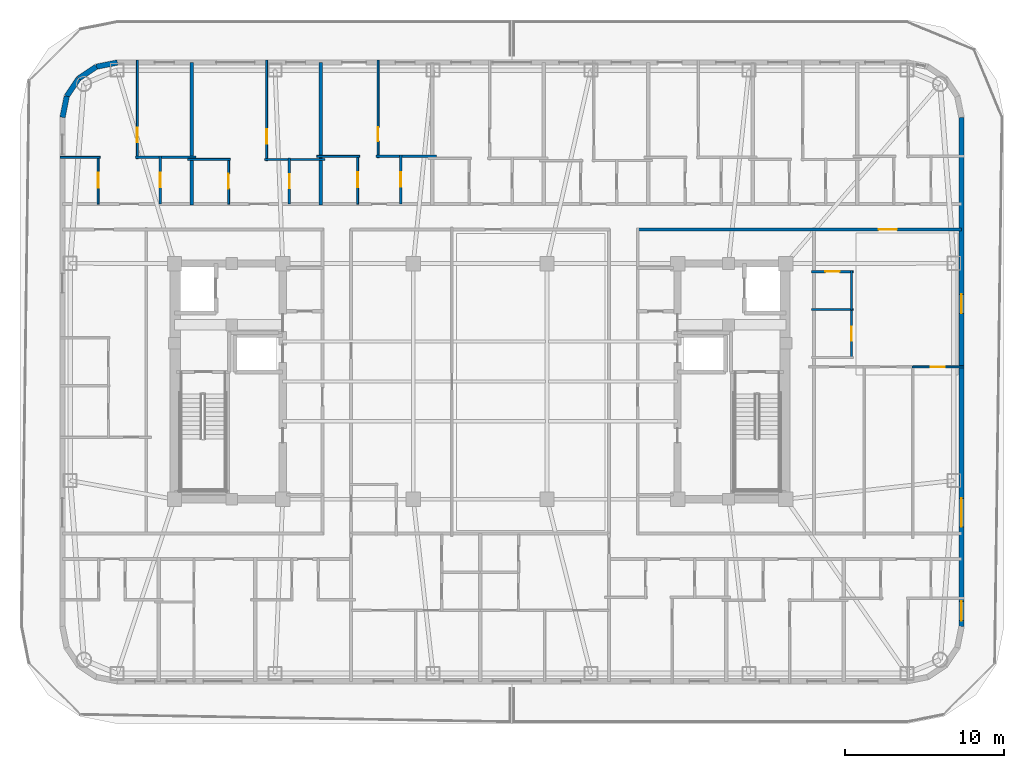
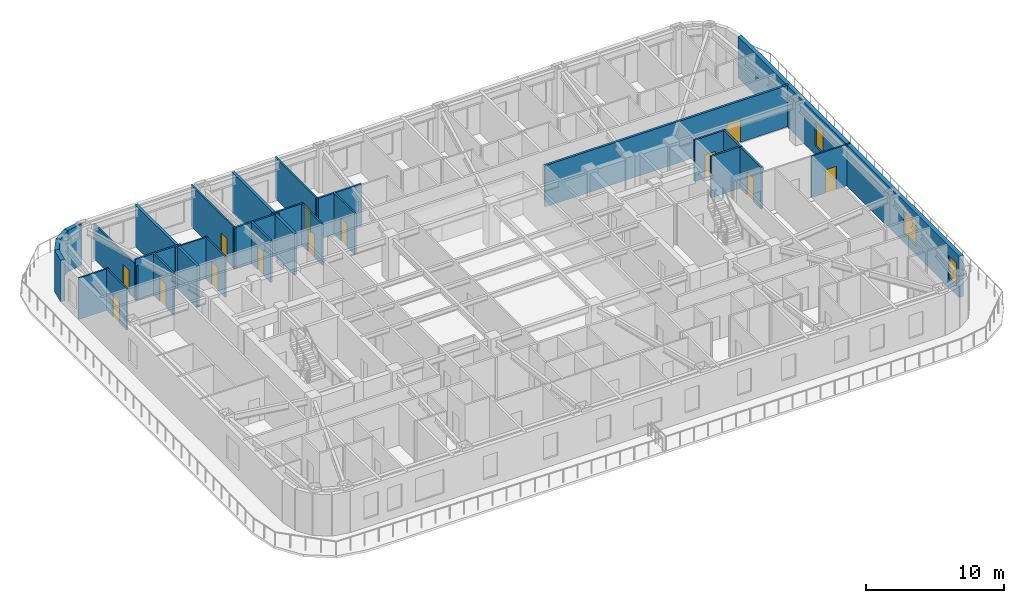
# One storey, part 7 of 15: 28 walls, 13 doors, 3 windows, 16 openings.
"""IFC4 building model written with IfcOpenShell, lengths in metres."""

from ifc_helpers import new_model, si_unit, direction, frame, frame_2d, origin, place, context, subcontext, project, spatial, rectangle, extrude, material, layer, layer_set, type_object, element, fill, save


model = new_model("IFC4")

# Units and contexts
model_context = context("Model", 3, precision=1e-05, world=origin(), true_north=direction((0.0, 1.0)))
body_context = subcontext(model_context, "Body", "Model", "MODEL_VIEW")
ifc_project = project(units=[si_unit("LENGTHUNIT", "METRE"), si_unit("AREAUNIT", "SQUARE_METRE"), si_unit("VOLUMEUNIT", "CUBIC_METRE"), si_unit("PLANEANGLEUNIT", "RADIAN"), si_unit("MASSUNIT", "GRAM", prefix="KILO")], contexts=[model_context])

# Site, building, storey
site_placement = place(None, origin())
site = spatial("IfcSite", under=ifc_project, at=site_placement, CompositionType="ELEMENT")
building_placement = place(site_placement, origin())
building = spatial("IfcBuilding", under=site, at=building_placement, Name="Voryun Gate Residences", CompositionType="ELEMENT")
storey_placement = place(building_placement, frame((0.0, 0.0, 231.39990234375)))
storey = spatial("IfcBuildingStorey", under=building, at=storey_placement, Name="L57", CompositionType="ELEMENT", Elevation=231.39990234375)

# Wall, opening, door
ifc_material_1 = material(Name="Gypsum acoustic fireboard")
ifc_layer_1 = layer(ifc_material_1, 0.179931640625, Name="W_CORR_RATED_180")
ifc_layer_set_1 = layer_set([ifc_layer_1], Name="Gypsum acoustic fireboard")
wall_type_1 = type_object("IfcWallType", Name="W_CORR_RATED_180", PredefinedType="PARTITIONING", material=ifc_layer_set_1)
wall_1_placement = place(storey_placement, frame((9.8798828125, 9.5400390625, 0.0), z_axis=(0.0, 0.0, 1.0), x_axis=(1.0, 0.0, 0.0)))
wall_1 = element("IfcWall", 1, at=wall_1_placement, inside=storey, type_object=wall_type_1, Name="Partition wall WP-L57-CWING-EN", PredefinedType="PARTITIONING", context=body_context, shape_type="SweptSolid", body=[
    extrude(rectangle(XDim=20.35009765625, YDim=0.179931640625, at=frame_2d((10.175048828125, 0.0))), origin(), (0.0, 0.0, 1.0), 3.650146484375),
])
opening_1_placement = place(wall_1_placement, frame((15.1494140625, 0.0, 0.0)))
opening_1 = element("IfcOpeningElement", 2, at=opening_1_placement, cuts=wall_1, Name="Opening D-UNIT-1", PredefinedType="OPENING", context=body_context, shape_type="SweptSolid", body=[
    extrude(rectangle(XDim=1.14990234375, YDim=2.050048828125, at=frame_2d((0.574951171875, 1.02490234375))), frame((0.0, 0.099853515625, 0.0), z_axis=(0.0, -1.0, 0.0), x_axis=(1.0, 0.0, 0.0)), (0.0, 0.0, 1.0), 0.199951171875),
])
ifc_material_2 = material(Name="Armoured timber-clad fire door", Category="wood")
door_type_1 = type_object("IfcDoorType", Name="DR_UNIT_ENTRY_1150", OperationType="NOTDEFINED", PredefinedType="DOOR", material=ifc_material_2)
door_1_placement = place(opening_1_placement, origin())
door_1 = element("IfcDoor", 3, at=door_1_placement, inside=storey, type_object=door_type_1, Name="Door DR-L57-EE1N", OperationType="SINGLE_SWING_LEFT", OverallHeight=2.050048828125, OverallWidth=1.14990234375, PredefinedType="DOOR", context=body_context, shape_type="SweptSolid", body=[
    extrude(rectangle(XDim=1.14990234375, YDim=2.050048828125, at=frame_2d((0.574951171875, 1.02490234375))), frame((0.0, 0.02490234375, 0.0), z_axis=(0.0, -1.0, 0.0), x_axis=(1.0, 0.0, 0.0)), (0.0, 0.0, 1.0), 0.050048828125),
])
fill(opening_1, door_1)

# Walls
ifc_material_3 = material(Name="Charcoal terracotta masonry", Category="masonry")
ifc_layer_2 = layer(ifc_material_3, 0.340087890625, Name="W_EXT_TERRACOTTA_340")
ifc_layer_set_2 = layer_set([ifc_layer_2], Name="Charcoal terracotta masonry")
wall_type_2 = type_object("IfcWallType", Name="W_EXT_TERRACOTTA_340", PredefinedType="ELEMENTEDWALL", material=ifc_layer_set_2)
wall_2_placement = place(storey_placement, frame((-26.22998046875, 16.583251953125, 0.0), z_axis=(0.0, 0.0, 1.0), x_axis=(0.195075878998, 0.980788153188, 0.0)))
element("IfcWall", 4, at=wall_2_placement, inside=storey, type_object=wall_type_2, Name="Exterior wall WEXT-L57-07", PredefinedType="ELEMENTEDWALL", context=body_context, shape_type="SweptSolid", body=[
    extrude(rectangle(XDim=1.354248046875, YDim=0.340087890625, at=frame_2d((0.67724609375, 0.0))), origin(), (0.0, 0.0, 1.0), 3.650146484375),
])
for number, where, z_axis, x_axis, name in (
    (5, (-25.9658203125, 17.911376953125, 0.0), (0.0, 0.0, 1.0), (0.555669034571, 0.831403586725, 0.0), "Exterior wall WEXT-L57-08"),
    (6, (-25.222900390625, 19.02294921875, 0.0), (0.0, 0.0, 1.0), (0.831403586725, 0.555669034571, 0.0), "Exterior wall WEXT-L57-09"),
):
    element("IfcWall", number, at=place(storey_placement, frame(where, z_axis=z_axis, x_axis=x_axis)), inside=storey, type_object=wall_type_2, Name=name, PredefinedType="ELEMENTEDWALL", context=body_context, shape_type="SweptSolid", body=[
        extrude(rectangle(XDim=1.3369140625, YDim=0.340087890625, at=frame_2d((0.66845703125, 0.0))), origin(), (0.0, 0.0, 1.0), 3.650146484375),
    ])
wall_3_placement = place(storey_placement, frame((-24.111328125, 19.765869140625, 0.0), z_axis=(0.0, 0.0, 1.0), x_axis=(0.980788153188, 0.195075878998, 0.0)))
element("IfcWall", 7, at=wall_3_placement, inside=storey, type_object=wall_type_2, Name="Exterior wall WEXT-L57-10", PredefinedType="ELEMENTEDWALL", context=body_context, shape_type="SweptSolid", body=[
    extrude(rectangle(XDim=1.354248046875, YDim=0.340087890625, at=frame_2d((0.67724609375, 0.0))), origin(), (0.0, 0.0, 1.0), 3.650146484375),
])

# Wall, openings, windows
wall_4_placement = place(storey_placement, frame((30.22998046875, 16.583251953125, 0.0), z_axis=(0.0, 0.0, 1.0), x_axis=(0.0, -1.0, 0.0)))
wall_4 = element("IfcWall", 8, at=wall_4_placement, inside=storey, type_object=wall_type_2, Name="Exterior wall WEXT-L57-16", PredefinedType="ELEMENTEDWALL", context=body_context, shape_type="SweptSolid", body=[
    extrude(rectangle(XDim=31.966552734375, YDim=0.340087890625, at=frame_2d((15.9833984375, 0.0))), origin(), (0.0, 0.0, 1.0), 3.650146484375),
])
opening_2_placement = place(wall_4_placement, frame((23.925048828125, 0.0, 0.75)))
opening_2 = element("IfcOpeningElement", 9, at=opening_2_placement, cuts=wall_4, Name="Opening WN1", PredefinedType="OPENING", context=body_context, shape_type="SweptSolid", body=[
    extrude(rectangle(XDim=1.800048828125, YDim=2.10009765625, at=frame_2d((0.89990234375, 1.050048828125))), frame((0.0, 0.179931640625, 0.0), z_axis=(0.0, -1.0, 0.0), x_axis=(1.0, 0.0, 0.0)), (0.0, 0.0, 1.0), 0.360107421875),
])
opening_3_placement = place(wall_4_placement, frame((30.401611328125, 0.0, 0.75)))
opening_3 = element("IfcOpeningElement", 10, at=opening_3_placement, cuts=wall_4, Name="Opening WN6", PredefinedType="OPENING", context=body_context, shape_type="SweptSolid", body=[
    extrude(rectangle(XDim=1.199951171875, YDim=2.050048828125, at=frame_2d((0.60009765625, 1.02490234375))), frame((0.0, 0.179931640625, 0.0), z_axis=(0.0, -1.0, 0.0), x_axis=(1.0, 0.0, 0.0)), (0.0, 0.0, 1.0), 0.360107421875),
])
opening_4_placement = place(wall_4_placement, frame((11.11328125, 0.0, 0.75)))
opening_4 = element("IfcOpeningElement", 11, at=opening_4_placement, cuts=wall_4, Name="Opening WN6", PredefinedType="OPENING", context=body_context, shape_type="SweptSolid", body=[
    extrude(rectangle(XDim=1.199951171875, YDim=2.050048828125, at=frame_2d((0.60009765625, 1.02490234375))), frame((0.0, 0.179931640625, 0.0), z_axis=(0.0, -1.0, 0.0), x_axis=(1.0, 0.0, 0.0)), (0.0, 0.0, 1.0), 0.360107421875),
])
ifc_material_4 = material(Name="Laminated low-E glass", Category="glass")
window_type_1 = type_object("IfcWindowType", Name="WN_POD_SLOT_1200", PartitioningType="SINGLE_PANEL", PredefinedType="WINDOW", material=ifc_material_4)
window_1_placement = place(opening_3_placement, origin())
window_1 = element("IfcWindow", 12, at=window_1_placement, inside=storey, type_object=window_type_1, Name="Window WN-L57-DWFIX-21", OverallHeight=2.050048828125, OverallWidth=1.199951171875, PartitioningType="SINGLE_PANEL", PredefinedType="WINDOW", context=body_context, shape_type="SweptSolid", body=[
    extrude(rectangle(XDim=1.199951171875, YDim=2.050048828125, at=frame_2d((0.60009765625, 1.02490234375))), frame((0.0, 0.030029296875, 0.0), z_axis=(0.0, -1.0, 0.0), x_axis=(1.0, 0.0, 0.0)), (0.0, 0.0, 1.0), 0.06005859375),
])
fill(opening_3, window_1)
window_2_placement = place(opening_4_placement, origin())
window_2 = element("IfcWindow", 13, at=window_2_placement, inside=storey, type_object=window_type_1, Name="Window WN-L57-DWFIX-26", OverallHeight=2.050048828125, OverallWidth=1.199951171875, PartitioningType="SINGLE_PANEL", PredefinedType="WINDOW", context=body_context, shape_type="SweptSolid", body=[
    extrude(rectangle(XDim=1.199951171875, YDim=2.050048828125, at=frame_2d((0.60009765625, 1.02490234375))), frame((0.0, 0.030029296875, 0.0), z_axis=(0.0, -1.0, 0.0), x_axis=(1.0, 0.0, 0.0)), (0.0, 0.0, 1.0), 0.06005859375),
])
fill(opening_4, window_2)
ifc_material_5 = material(Name="Laminated low-E glass", Category="glass")
window_type_2 = type_object("IfcWindowType", Name="WN_RES_PUNCH_1800", PartitioningType="SINGLE_PANEL", PredefinedType="WINDOW", material=ifc_material_5)
window_3_placement = place(opening_2_placement, origin())
window_3 = element("IfcWindow", 14, at=window_3_placement, inside=storey, type_object=window_type_2, Name="Window WN-WEXT-L57-16-02", OverallHeight=2.10009765625, OverallWidth=1.800048828125, PartitioningType="SINGLE_PANEL", PredefinedType="WINDOW", context=body_context, shape_type="SweptSolid", body=[
    extrude(rectangle(XDim=1.800048828125, YDim=2.10009765625, at=frame_2d((0.89990234375, 1.050048828125))), frame((0.0, 0.030029296875, 0.0), z_axis=(0.0, -1.0, 0.0), x_axis=(1.0, 0.0, 0.0)), (0.0, 0.0, 1.0), 0.06005859375),
])
fill(opening_2, window_3)

# Walls
ifc_material_6 = material(Name="Concrete C40/50", Category="concrete")
ifc_layer_3 = layer(ifc_material_6, 0.219970703125, Name="W_PARTY_ACOUSTIC_220")
ifc_layer_set_3 = layer_set([ifc_layer_3], Name="Concrete C40/50")
wall_type_3 = type_object("IfcWallType", Name="W_PARTY_ACOUSTIC_220", PredefinedType="PARTITIONING", material=ifc_layer_set_3)
for number, where, z_axis, x_axis, name in (
    (15, (-18.117919921875, 11.070068359375, 0.0), (0.0, 0.0, 1.0), (0.0, 1.0, 0.0), "Partition wall WP-L57-NPTY-1"),
    (16, (-10.0, 11.070068359375, 0.0), (0.0, 0.0, 1.0), (0.0, 1.0, 0.0), "Partition wall WP-L57-NPTY-2"),
):
    element("IfcWall", number, at=place(storey_placement, frame(where, z_axis=z_axis, x_axis=x_axis)), inside=storey, type_object=wall_type_3, Name=name, PredefinedType="PARTITIONING", context=body_context, shape_type="SweptSolid", body=[
        extrude(rectangle(XDim=8.9599609375, YDim=0.219970703125, at=frame_2d((4.47998046875, 0.0))), origin(), (0.0, 0.0, 1.0), 3.650146484375),
    ])

# Wall, opening, door
ifc_material_7 = material(Name="Gypsum acoustic partition")
ifc_layer_4 = layer(ifc_material_7, 0.125, Name="W_UNIT_PART_125")
ifc_layer_set_4 = layer_set([ifc_layer_4], Name="Gypsum acoustic partition")
wall_type_4 = type_object("IfcWallType", Name="W_UNIT_PART_125", PredefinedType="PARTITIONING", material=ifc_layer_set_4)
wall_5_placement = place(storey_placement, frame((-21.528076171875, 13.993896484375, 0.0), z_axis=(0.0, 0.0, 1.0), x_axis=(0.0, 1.0, 0.0)))
wall_5 = element("IfcWall", 17, at=wall_5_placement, inside=storey, type_object=wall_type_4, Name="Partition wall WP-L57-N1-OVR", PredefinedType="PARTITIONING", context=body_context, shape_type="SweptSolid", body=[
    extrude(rectangle(XDim=6.18603515625, YDim=0.125, at=frame_2d((3.093017578125, 0.0))), origin(), (0.0, 0.0, 1.0), 3.090087890625),
])
opening_5_placement = place(wall_5_placement, frame((1.03466796875, 0.0, 0.0)))
opening_5 = element("IfcOpeningElement", 18, at=opening_5_placement, cuts=wall_5, Name="Opening D-INT-2", PredefinedType="OPENING", context=body_context, shape_type="SweptSolid", body=[
    extrude(rectangle(XDim=0.89990234375, YDim=2.050048828125, at=frame_2d((0.449951171875, 1.02490234375))), frame((0.0, 0.072509765625, 0.0), z_axis=(0.0, -1.0, 0.0), x_axis=(1.0, 0.0, 0.0)), (0.0, 0.0, 1.0), 0.14501953125),
])
ifc_material_8 = material(Name="Architectural oak veneer")
door_type_2 = type_object("IfcDoorType", Name="DR_INT_BATH_900", OperationType="NOTDEFINED", PredefinedType="DOOR", material=ifc_material_8)
door_2_placement = place(opening_5_placement, origin())
door_2 = element("IfcDoor", 19, at=door_2_placement, inside=storey, type_object=door_type_2, Name="Door DR-L57-N1-DMB", OperationType="SINGLE_SWING_RIGHT", OverallHeight=2.050048828125, OverallWidth=0.89990234375, PredefinedType="DOOR", context=body_context, shape_type="SweptSolid", body=[
    extrude(rectangle(XDim=0.89990234375, YDim=2.050048828125, at=frame_2d((0.449951171875, 1.02490234375))), frame((0.0, 0.02490234375, 0.0), z_axis=(0.0, -1.0, 0.0), x_axis=(1.0, 0.0, 0.0)), (0.0, 0.0, 1.0), 0.050048828125),
])
fill(opening_5, door_2)

wall_6_placement = place(storey_placement, frame((-23.987060546875, 11.1298828125, 0.0), z_axis=(0.0, 0.0, 1.0), x_axis=(0.0, 1.0, 0.0)))
wall_6 = element("IfcWall", 20, at=wall_6_placement, inside=storey, type_object=wall_type_4, Name="Partition wall WP-L57-N1-IVK", PredefinedType="PARTITIONING", context=body_context, shape_type="SweptSolid", body=[
    extrude(rectangle(XDim=3.024169921875, YDim=0.125, at=frame_2d((1.51220703125, 0.0))), origin(), (0.0, 0.0, 1.0), 3.650146484375),
])
opening_6_placement = place(wall_6_placement, frame((1.037109375, 0.0, 0.0)))
opening_6 = element("IfcOpeningElement", 21, at=opening_6_placement, cuts=wall_6, Name="Opening D-INT-1", PredefinedType="OPENING", context=body_context, shape_type="SweptSolid", body=[
    extrude(rectangle(XDim=0.949951171875, YDim=2.050048828125, at=frame_2d((0.47509765625, 1.02490234375))), frame((0.0, 0.072509765625, 0.0), z_axis=(0.0, -1.0, 0.0), x_axis=(1.0, 0.0, 0.0)), (0.0, 0.0, 1.0), 0.14501953125),
])
ifc_material_9 = material(Name="Architectural oak veneer")
door_type_3 = type_object("IfcDoorType", Name="DR_INT_ROOM_950", OperationType="NOTDEFINED", PredefinedType="DOOR", material=ifc_material_9)
door_3_placement = place(opening_6_placement, origin())
door_3 = element("IfcDoor", 22, at=door_3_placement, inside=storey, type_object=door_type_3, Name="Door DR-L57-N1-DK", OperationType="SINGLE_SWING_LEFT", OverallHeight=2.050048828125, OverallWidth=0.949951171875, PredefinedType="DOOR", context=body_context, shape_type="SweptSolid", body=[
    extrude(rectangle(XDim=0.949951171875, YDim=2.050048828125, at=frame_2d((0.47509765625, 1.02490234375))), frame((0.0, 0.02490234375, 0.0), z_axis=(0.0, -1.0, 0.0), x_axis=(1.0, 0.0, 0.0)), (0.0, 0.0, 1.0), 0.050048828125),
])
fill(opening_6, door_3)

# Wall
wall_7_placement = place(storey_placement, frame((-26.3798828125, 14.073974609375, 0.0), z_axis=(0.0, 0.0, 1.0), x_axis=(1.0, 0.0, 0.0)))
element("IfcWall", 23, at=wall_7_placement, inside=storey, type_object=wall_type_4, Name="Partition wall WP-L57-N1-HZK", PredefinedType="PARTITIONING", context=body_context, shape_type="SweptSolid", body=[
    extrude(rectangle(XDim=2.512939453125, YDim=0.125, at=frame_2d((1.25634765625, 0.0))), origin(), (0.0, 0.0, 1.0), 3.650146484375),
])

# Wall, opening, door
wall_8_placement = place(storey_placement, frame((-13.409912109375, 13.861083984375, 0.0), z_axis=(0.0, 0.0, 1.0), x_axis=(0.0, 1.0, 0.0)))
wall_8 = element("IfcWall", 24, at=wall_8_placement, inside=storey, type_object=wall_type_4, Name="Partition wall WP-L57-N2-OVR", PredefinedType="PARTITIONING", context=body_context, shape_type="SweptSolid", body=[
    extrude(rectangle(XDim=6.31884765625, YDim=0.125, at=frame_2d((3.159423828125, 0.0))), origin(), (0.0, 0.0, 1.0), 3.650146484375),
])
opening_7_placement = place(wall_8_placement, frame((1.066650390625, 0.0, 0.0)))
opening_7 = element("IfcOpeningElement", 25, at=opening_7_placement, cuts=wall_8, Name="Opening D-INT-2", PredefinedType="OPENING", context=body_context, shape_type="SweptSolid", body=[
    extrude(rectangle(XDim=0.89990234375, YDim=2.050048828125, at=frame_2d((0.449951171875, 1.02490234375))), frame((0.0, 0.072509765625, 0.0), z_axis=(0.0, -1.0, 0.0), x_axis=(1.0, 0.0, 0.0)), (0.0, 0.0, 1.0), 0.14501953125),
])
door_4_placement = place(opening_7_placement, origin())
door_4 = element("IfcDoor", 26, at=door_4_placement, inside=storey, type_object=door_type_2, Name="Door DR-L57-N2-DMB", OperationType="SINGLE_SWING_RIGHT", OverallHeight=2.050048828125, OverallWidth=0.89990234375, PredefinedType="DOOR", context=body_context, shape_type="SweptSolid", body=[
    extrude(rectangle(XDim=0.89990234375, YDim=2.050048828125, at=frame_2d((0.449951171875, 1.02490234375))), frame((0.0, 0.02490234375, 0.0), z_axis=(0.0, -1.0, 0.0), x_axis=(1.0, 0.0, 0.0)), (0.0, 0.0, 1.0), 0.050048828125),
])
fill(opening_7, door_4)

wall_9_placement = place(storey_placement, frame((-15.802978515625, 11.1298828125, 0.0), z_axis=(0.0, 0.0, 1.0), x_axis=(0.0, 1.0, 0.0)))
wall_9 = element("IfcWall", 27, at=wall_9_placement, inside=storey, type_object=wall_type_4, Name="Partition wall WP-L57-N2-IVK", PredefinedType="PARTITIONING", context=body_context, shape_type="SweptSolid", body=[
    extrude(rectangle(XDim=2.89111328125, YDim=0.125, at=frame_2d((1.445556640625, 0.0))), origin(), (0.0, 0.0, 1.0), 3.650146484375),
])
opening_8_placement = place(wall_9_placement, frame((0.970458984375, 0.0, 0.0)))
opening_8 = element("IfcOpeningElement", 28, at=opening_8_placement, cuts=wall_9, Name="Opening D-INT-1", PredefinedType="OPENING", context=body_context, shape_type="SweptSolid", body=[
    extrude(rectangle(XDim=0.949951171875, YDim=2.050048828125, at=frame_2d((0.47509765625, 1.02490234375))), frame((0.0, 0.072509765625, 0.0), z_axis=(0.0, -1.0, 0.0), x_axis=(1.0, 0.0, 0.0)), (0.0, 0.0, 1.0), 0.14501953125),
])
door_5_placement = place(opening_8_placement, origin())
door_5 = element("IfcDoor", 29, at=door_5_placement, inside=storey, type_object=door_type_3, Name="Door DR-L57-N2-DK", OperationType="SINGLE_SWING_LEFT", OverallHeight=2.050048828125, OverallWidth=0.949951171875, PredefinedType="DOOR", context=body_context, shape_type="SweptSolid", body=[
    extrude(rectangle(XDim=0.949951171875, YDim=2.050048828125, at=frame_2d((0.47509765625, 1.02490234375))), frame((0.0, 0.02490234375, 0.0), z_axis=(0.0, -1.0, 0.0), x_axis=(1.0, 0.0, 0.0)), (0.0, 0.0, 1.0), 0.050048828125),
])
fill(opening_8, door_5)

# Wall
wall_10_placement = place(storey_placement, frame((-18.3779296875, 13.94091796875, 0.0), z_axis=(0.0, 0.0, 1.0), x_axis=(1.0, 0.0, 0.0)))
element("IfcWall", 30, at=wall_10_placement, inside=storey, type_object=wall_type_4, Name="Partition wall WP-L57-N2-HZK", PredefinedType="PARTITIONING", context=body_context, shape_type="SweptSolid", body=[
    extrude(rectangle(XDim=2.69482421875, YDim=0.125, at=frame_2d((1.347412109375, 0.0))), origin(), (0.0, 0.0, 1.0), 3.650146484375),
])

# Wall, opening, door
wall_11_placement = place(storey_placement, frame((-6.409912109375, 14.06005859375, 0.0), z_axis=(0.0, 0.0, 1.0), x_axis=(0.0, 1.0, 0.0)))
wall_11 = element("IfcWall", 31, at=wall_11_placement, inside=storey, type_object=wall_type_4, Name="Partition wall WP-L57-N3-OVR", PredefinedType="PARTITIONING", context=body_context, shape_type="SweptSolid", body=[
    extrude(rectangle(XDim=6.119873046875, YDim=0.125, at=frame_2d((3.06005859375, 0.0))), origin(), (0.0, 0.0, 1.0), 3.650146484375),
])
opening_9_placement = place(wall_11_placement, frame((1.018798828125, 0.0, 0.0)))
opening_9 = element("IfcOpeningElement", 32, at=opening_9_placement, cuts=wall_11, Name="Opening D-INT-2", PredefinedType="OPENING", context=body_context, shape_type="SweptSolid", body=[
    extrude(rectangle(XDim=0.89990234375, YDim=2.050048828125, at=frame_2d((0.449951171875, 1.02490234375))), frame((0.0, 0.072509765625, 0.0), z_axis=(0.0, -1.0, 0.0), x_axis=(1.0, 0.0, 0.0)), (0.0, 0.0, 1.0), 0.14501953125),
])
door_6_placement = place(opening_9_placement, origin())
door_6 = element("IfcDoor", 33, at=door_6_placement, inside=storey, type_object=door_type_2, Name="Door DR-L57-N3-DMB", OperationType="SINGLE_SWING_RIGHT", OverallHeight=2.050048828125, OverallWidth=0.89990234375, PredefinedType="DOOR", context=body_context, shape_type="SweptSolid", body=[
    extrude(rectangle(XDim=0.89990234375, YDim=2.050048828125, at=frame_2d((0.449951171875, 1.02490234375))), frame((0.0, 0.02490234375, 0.0), z_axis=(0.0, -1.0, 0.0), x_axis=(1.0, 0.0, 0.0)), (0.0, 0.0, 1.0), 0.050048828125),
])
fill(opening_9, door_6)

wall_12_placement = place(storey_placement, frame((-7.68994140625, 11.1298828125, 0.0), z_axis=(0.0, 0.0, 1.0), x_axis=(0.0, 1.0, 0.0)))
wall_12 = element("IfcWall", 34, at=wall_12_placement, inside=storey, type_object=wall_type_4, Name="Partition wall WP-L57-N3-IVK", PredefinedType="PARTITIONING", context=body_context, shape_type="SweptSolid", body=[
    extrude(rectangle(XDim=3.090087890625, YDim=0.125, at=frame_2d((1.544921875, 0.0))), origin(), (0.0, 0.0, 1.0), 3.650146484375),
])
opening_10_placement = place(wall_12_placement, frame((1.070068359375, 0.0, 0.0)))
opening_10 = element("IfcOpeningElement", 35, at=opening_10_placement, cuts=wall_12, Name="Opening D-INT-1", PredefinedType="OPENING", context=body_context, shape_type="SweptSolid", body=[
    extrude(rectangle(XDim=0.949951171875, YDim=2.050048828125, at=frame_2d((0.47509765625, 1.02490234375))), frame((0.0, 0.072509765625, 0.0), z_axis=(0.0, -1.0, 0.0), x_axis=(1.0, 0.0, 0.0)), (0.0, 0.0, 1.0), 0.14501953125),
])
door_7_placement = place(opening_10_placement, origin())
door_7 = element("IfcDoor", 36, at=door_7_placement, inside=storey, type_object=door_type_3, Name="Door DR-L57-N3-DK", OperationType="SINGLE_SWING_LEFT", OverallHeight=2.050048828125, OverallWidth=0.949951171875, PredefinedType="DOOR", context=body_context, shape_type="SweptSolid", body=[
    extrude(rectangle(XDim=0.949951171875, YDim=2.050048828125, at=frame_2d((0.47509765625, 1.02490234375))), frame((0.0, 0.02490234375, 0.0), z_axis=(0.0, -1.0, 0.0), x_axis=(1.0, 0.0, 0.0)), (0.0, 0.0, 1.0), 0.050048828125),
])
fill(opening_10, door_7)

# Wall
wall_13_placement = place(storey_placement, frame((-10.260009765625, 14.139892578125, 0.0), z_axis=(0.0, 0.0, 1.0), x_axis=(1.0, 0.0, 0.0)))
element("IfcWall", 37, at=wall_13_placement, inside=storey, type_object=wall_type_4, Name="Partition wall WP-L57-N3-HZK", PredefinedType="PARTITIONING", context=body_context, shape_type="SweptSolid", body=[
    extrude(rectangle(XDim=2.68994140625, YDim=0.125, at=frame_2d((1.344970703125, 0.0))), origin(), (0.0, 0.0, 1.0), 3.650146484375),
])

# Wall, opening, door
wall_14_placement = place(storey_placement, frame((27.116455078125, 0.909912109375, 0.0), z_axis=(0.0, 0.0, 1.0), x_axis=(1.0, 0.0, 0.0)))
wall_14 = element("IfcWall", 38, at=wall_14_placement, inside=storey, type_object=wall_type_4, Name="Partition wall WP-L57-E1-HZMB3", PredefinedType="PARTITIONING", context=body_context, shape_type="SweptSolid", body=[
    extrude(rectangle(XDim=3.263427734375, YDim=0.125, at=frame_2d((1.6318359375, 0.0))), origin(), (0.0, 0.0, 1.0), 3.650146484375),
])
opening_11_placement = place(wall_14_placement, frame((1.173095703125, 0.0, 0.0)))
opening_11 = element("IfcOpeningElement", 39, at=opening_11_placement, cuts=wall_14, Name="Opening D-INT-2", PredefinedType="OPENING", context=body_context, shape_type="SweptSolid", body=[
    extrude(rectangle(XDim=0.89990234375, YDim=2.050048828125, at=frame_2d((0.449951171875, 1.02490234375))), frame((0.0, 0.072509765625, 0.0), z_axis=(0.0, -1.0, 0.0), x_axis=(1.0, 0.0, 0.0)), (0.0, 0.0, 1.0), 0.14501953125),
])
door_8_placement = place(opening_11_placement, origin())
door_8 = element("IfcDoor", 40, at=door_8_placement, inside=storey, type_object=door_type_2, Name="Door DR-L57-E1-DBD3", OperationType="SINGLE_SWING_LEFT", OverallHeight=2.050048828125, OverallWidth=0.89990234375, PredefinedType="DOOR", context=body_context, shape_type="SweptSolid", body=[
    extrude(rectangle(XDim=0.89990234375, YDim=2.050048828125, at=frame_2d((0.449951171875, 1.02490234375))), frame((0.0, 0.02490234375, 0.0), z_axis=(0.0, -1.0, 0.0), x_axis=(1.0, 0.0, 0.0)), (0.0, 0.0, 1.0), 0.050048828125),
])
fill(opening_11, door_8)

# Wall
ifc_material_10 = material(Name="Gypsum moisture-resistant partition")
ifc_layer_5 = layer(ifc_material_10, 0.14990234375, Name="W_WET_PLUMB_150")
ifc_layer_set_5 = layer_set([ifc_layer_5], Name="Gypsum moisture-resistant partition")
wall_type_5 = type_object("IfcWallType", Name="W_WET_PLUMB_150", PredefinedType="PLUMBINGWALL", material=ifc_layer_set_5)
wall_15_placement = place(storey_placement, frame((-21.64794921875, 14.073974609375, 0.0), z_axis=(0.0, 0.0, 1.0), x_axis=(1.0, 0.0, 0.0)))
element("IfcWall", 41, at=wall_15_placement, inside=storey, type_object=wall_type_5, Name="Partition wall WP-L57-N1-HZB", PredefinedType="PLUMBINGWALL", context=body_context, shape_type="SweptSolid", body=[
    extrude(rectangle(XDim=3.7900390625, YDim=0.14990234375, at=frame_2d((1.89501953125, 0.0))), origin(), (0.0, 0.0, 1.0), 3.650146484375),
])

# Wall, opening, door
wall_16_placement = place(storey_placement, frame((-20.097900390625, 11.1298828125, 0.0), z_axis=(0.0, 0.0, 1.0), x_axis=(0.0, 1.0, 0.0)))
wall_16 = element("IfcWall", 42, at=wall_16_placement, inside=storey, type_object=wall_type_5, Name="Partition wall WP-L57-N1-IVB", PredefinedType="PLUMBINGWALL", context=body_context, shape_type="SweptSolid", body=[
    extrude(rectangle(XDim=3.024169921875, YDim=0.14990234375, at=frame_2d((1.51220703125, 0.0))), origin(), (0.0, 0.0, 1.0), 3.650146484375),
])
opening_12_placement = place(wall_16_placement, frame((1.06201171875, 0.0, 0.0)))
opening_12 = element("IfcOpeningElement", 43, at=opening_12_placement, cuts=wall_16, Name="Opening D-INT-2", PredefinedType="OPENING", context=body_context, shape_type="SweptSolid", body=[
    extrude(rectangle(XDim=0.89990234375, YDim=2.050048828125, at=frame_2d((0.449951171875, 1.02490234375))), frame((0.0, 0.0849609375, 0.0), z_axis=(0.0, -1.0, 0.0), x_axis=(1.0, 0.0, 0.0)), (0.0, 0.0, 1.0), 0.169921875),
])
door_9_placement = place(opening_12_placement, origin())
door_9 = element("IfcDoor", 44, at=door_9_placement, inside=storey, type_object=door_type_2, Name="Door DR-L57-N1-DB", OperationType="SINGLE_SWING_RIGHT", OverallHeight=2.050048828125, OverallWidth=0.89990234375, PredefinedType="DOOR", context=body_context, shape_type="SweptSolid", body=[
    extrude(rectangle(XDim=0.89990234375, YDim=2.050048828125, at=frame_2d((0.449951171875, 1.02490234375))), frame((0.0, 0.02490234375, 0.0), z_axis=(0.0, -1.0, 0.0), x_axis=(1.0, 0.0, 0.0)), (0.0, 0.0, 1.0), 0.050048828125),
])
fill(opening_12, door_9)

# Wall
wall_17_placement = place(storey_placement, frame((-13.530029296875, 13.94091796875, 0.0), z_axis=(0.0, 0.0, 1.0), x_axis=(1.0, 0.0, 0.0)))
element("IfcWall", 45, at=wall_17_placement, inside=storey, type_object=wall_type_5, Name="Partition wall WP-L57-N2-HZB", PredefinedType="PLUMBINGWALL", context=body_context, shape_type="SweptSolid", body=[
    extrude(rectangle(XDim=3.7900390625, YDim=0.14990234375, at=frame_2d((1.89501953125, 0.0))), origin(), (0.0, 0.0, 1.0), 3.650146484375),
])

# Wall, opening, door
wall_18_placement = place(storey_placement, frame((-11.97998046875, 11.1298828125, 0.0), z_axis=(0.0, 0.0, 1.0), x_axis=(0.0, 1.0, 0.0)))
wall_18 = element("IfcWall", 46, at=wall_18_placement, inside=storey, type_object=wall_type_5, Name="Partition wall WP-L57-N2-IVB", PredefinedType="PLUMBINGWALL", context=body_context, shape_type="SweptSolid", body=[
    extrude(rectangle(XDim=2.89111328125, YDim=0.14990234375, at=frame_2d((1.445556640625, 0.0))), origin(), (0.0, 0.0, 1.0), 3.650146484375),
])
opening_13_placement = place(wall_18_placement, frame((0.99560546875, 0.0, 0.0)))
opening_13 = element("IfcOpeningElement", 47, at=opening_13_placement, cuts=wall_18, Name="Opening D-INT-2", PredefinedType="OPENING", context=body_context, shape_type="SweptSolid", body=[
    extrude(rectangle(XDim=0.89990234375, YDim=2.050048828125, at=frame_2d((0.449951171875, 1.02490234375))), frame((0.0, 0.0849609375, 0.0), z_axis=(0.0, -1.0, 0.0), x_axis=(1.0, 0.0, 0.0)), (0.0, 0.0, 1.0), 0.169921875),
])
door_10_placement = place(opening_13_placement, origin())
door_10 = element("IfcDoor", 48, at=door_10_placement, inside=storey, type_object=door_type_2, Name="Door DR-L57-N2-DB", OperationType="SINGLE_SWING_RIGHT", OverallHeight=2.050048828125, OverallWidth=0.89990234375, PredefinedType="DOOR", context=body_context, shape_type="SweptSolid", body=[
    extrude(rectangle(XDim=0.89990234375, YDim=2.050048828125, at=frame_2d((0.449951171875, 1.02490234375))), frame((0.0, 0.02490234375, 0.0), z_axis=(0.0, -1.0, 0.0), x_axis=(1.0, 0.0, 0.0)), (0.0, 0.0, 1.0), 0.050048828125),
])
fill(opening_13, door_10)

# Wall
wall_19_placement = place(storey_placement, frame((-6.530029296875, 14.139892578125, 0.0), z_axis=(0.0, 0.0, 1.0), x_axis=(1.0, 0.0, 0.0)))
element("IfcWall", 49, at=wall_19_placement, inside=storey, type_object=wall_type_5, Name="Partition wall WP-L57-N3-HZB", PredefinedType="PLUMBINGWALL", context=body_context, shape_type="SweptSolid", body=[
    extrude(rectangle(XDim=3.7900390625, YDim=0.14990234375, at=frame_2d((1.89501953125, 0.0))), origin(), (0.0, 0.0, 1.0), 3.650146484375),
])

# Wall, opening, door
wall_20_placement = place(storey_placement, frame((-4.97998046875, 11.1298828125, 0.0), z_axis=(0.0, 0.0, 1.0), x_axis=(0.0, 1.0, 0.0)))
wall_20 = element("IfcWall", 50, at=wall_20_placement, inside=storey, type_object=wall_type_5, Name="Partition wall WP-L57-N3-IVB", PredefinedType="PLUMBINGWALL", context=body_context, shape_type="SweptSolid", body=[
    extrude(rectangle(XDim=3.090087890625, YDim=0.14990234375, at=frame_2d((1.544921875, 0.0))), origin(), (0.0, 0.0, 1.0), 3.650146484375),
])
opening_14_placement = place(wall_20_placement, frame((1.094970703125, 0.0, 0.0)))
opening_14 = element("IfcOpeningElement", 51, at=opening_14_placement, cuts=wall_20, Name="Opening D-INT-2", PredefinedType="OPENING", context=body_context, shape_type="SweptSolid", body=[
    extrude(rectangle(XDim=0.89990234375, YDim=2.050048828125, at=frame_2d((0.449951171875, 1.02490234375))), frame((0.0, 0.0849609375, 0.0), z_axis=(0.0, -1.0, 0.0), x_axis=(1.0, 0.0, 0.0)), (0.0, 0.0, 1.0), 0.169921875),
])
door_11_placement = place(opening_14_placement, origin())
door_11 = element("IfcDoor", 52, at=door_11_placement, inside=storey, type_object=door_type_2, Name="Door DR-L57-N3-DB", OperationType="SINGLE_SWING_RIGHT", OverallHeight=2.050048828125, OverallWidth=0.89990234375, PredefinedType="DOOR", context=body_context, shape_type="SweptSolid", body=[
    extrude(rectangle(XDim=0.89990234375, YDim=2.050048828125, at=frame_2d((0.449951171875, 1.02490234375))), frame((0.0, 0.02490234375, 0.0), z_axis=(0.0, -1.0, 0.0), x_axis=(1.0, 0.0, 0.0)), (0.0, 0.0, 1.0), 0.050048828125),
])
fill(opening_14, door_11)

wall_21_placement = place(storey_placement, frame((20.820068359375, 6.89990234375, 0.0), z_axis=(0.0, 0.0, 1.0), x_axis=(1.0, 0.0, 0.0)))
wall_21 = element("IfcWall", 53, at=wall_21_placement, inside=storey, type_object=wall_type_5, Name="Partition wall WP-L57-E1-IBT", PredefinedType="PLUMBINGWALL", context=body_context, shape_type="SweptSolid", body=[
    extrude(rectangle(XDim=2.619873046875, YDim=0.14990234375, at=frame_2d((1.31005859375, 0.0))), origin(), (0.0, 0.0, 1.0), 3.650146484375),
])
opening_15_placement = place(wall_21_placement, frame((0.860107421875, 0.0, 0.0)))
opening_15 = element("IfcOpeningElement", 54, at=opening_15_placement, cuts=wall_21, Name="Opening D-INT-2", PredefinedType="OPENING", context=body_context, shape_type="SweptSolid", body=[
    extrude(rectangle(XDim=0.89990234375, YDim=2.050048828125, at=frame_2d((0.449951171875, 1.02490234375))), frame((0.0, 0.0849609375, 0.0), z_axis=(0.0, -1.0, 0.0), x_axis=(1.0, 0.0, 0.0)), (0.0, 0.0, 1.0), 0.169921875),
])
door_12_placement = place(opening_15_placement, origin())
door_12 = element("IfcDoor", 55, at=door_12_placement, inside=storey, type_object=door_type_2, Name="Door DR-L57-E1-DK", OperationType="SINGLE_SWING_LEFT", OverallHeight=2.050048828125, OverallWidth=0.89990234375, PredefinedType="DOOR", context=body_context, shape_type="SweptSolid", body=[
    extrude(rectangle(XDim=0.89990234375, YDim=2.050048828125, at=frame_2d((0.449951171875, 1.02490234375))), frame((0.0, 0.02490234375, 0.0), z_axis=(0.0, -1.0, 0.0), x_axis=(1.0, 0.0, 0.0)), (0.0, 0.0, 1.0), 0.050048828125),
])
fill(opening_15, door_12)

# Wall
wall_22_placement = place(storey_placement, frame((20.820068359375, 4.52001953125, 0.0), z_axis=(0.0, 0.0, 1.0), x_axis=(1.0, 0.0, 0.0)))
element("IfcWall", 56, at=wall_22_placement, inside=storey, type_object=wall_type_5, Name="Partition wall WP-L57-E1-IKB", PredefinedType="PLUMBINGWALL", context=body_context, shape_type="SweptSolid", body=[
    extrude(rectangle(XDim=2.619873046875, YDim=0.14990234375, at=frame_2d((1.31005859375, 0.0))), origin(), (0.0, 0.0, 1.0), 3.650146484375),
])

# Wall, opening, door
wall_23_placement = place(storey_placement, frame((23.320068359375, 1.43994140625, 0.0), z_axis=(0.0, 0.0, 1.0), x_axis=(0.0, 1.0, 0.0)))
wall_23 = element("IfcWall", 57, at=wall_23_placement, inside=storey, type_object=wall_type_5, Name="Partition wall WP-L57-E1-VTSK1", PredefinedType="PLUMBINGWALL", context=body_context, shape_type="SweptSolid", body=[
    extrude(rectangle(XDim=3.1201171875, YDim=0.14990234375, at=frame_2d((1.56005859375, 0.0))), origin(), (0.0, 0.0, 1.0), 3.650146484375),
])
opening_16_placement = place(wall_23_placement, frame((1.110107421875, 0.0, 0.0)))
opening_16 = element("IfcOpeningElement", 58, at=opening_16_placement, cuts=wall_23, Name="Opening D-INT-2", PredefinedType="OPENING", context=body_context, shape_type="SweptSolid", body=[
    extrude(rectangle(XDim=0.89990234375, YDim=2.050048828125, at=frame_2d((0.449951171875, 1.02490234375))), frame((0.0, 0.0849609375, 0.0), z_axis=(0.0, -1.0, 0.0), x_axis=(1.0, 0.0, 0.0)), (0.0, 0.0, 1.0), 0.169921875),
])
door_13_placement = place(opening_16_placement, origin())
door_13 = element("IfcDoor", 59, at=door_13_placement, inside=storey, type_object=door_type_2, Name="Door DR-L57-E1-DB", OperationType="SINGLE_SWING_RIGHT", OverallHeight=2.050048828125, OverallWidth=0.89990234375, PredefinedType="DOOR", context=body_context, shape_type="SweptSolid", body=[
    extrude(rectangle(XDim=0.89990234375, YDim=2.050048828125, at=frame_2d((0.449951171875, 1.02490234375))), frame((0.0, 0.02490234375, 0.0), z_axis=(0.0, -1.0, 0.0), x_axis=(1.0, 0.0, 0.0)), (0.0, 0.0, 1.0), 0.050048828125),
])
fill(opening_16, door_13)

# Wall
wall_24_placement = place(storey_placement, frame((23.320068359375, 4.47998046875, 0.0), z_axis=(0.0, 0.0, 1.0), x_axis=(0.0, 1.0, 0.0)))
element("IfcWall", 60, at=wall_24_placement, inside=storey, type_object=wall_type_5, Name="Partition wall WP-L57-E1-VTSK2", PredefinedType="PLUMBINGWALL", context=body_context, shape_type="SweptSolid", body=[
    extrude(rectangle(XDim=2.47998046875, YDim=0.14990234375, at=frame_2d((1.239990234375, 0.0))), origin(), (0.0, 0.0, 1.0), 3.650146484375),
])

save(model, "model.ifc")
